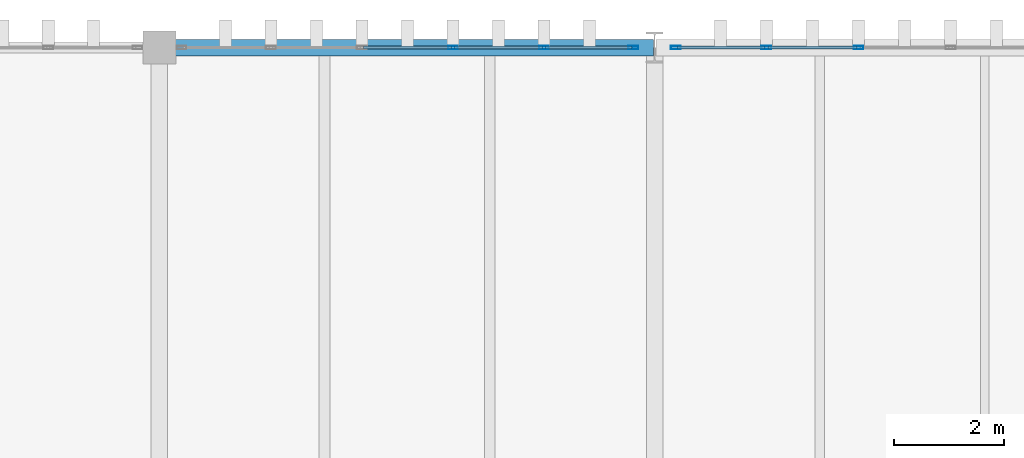
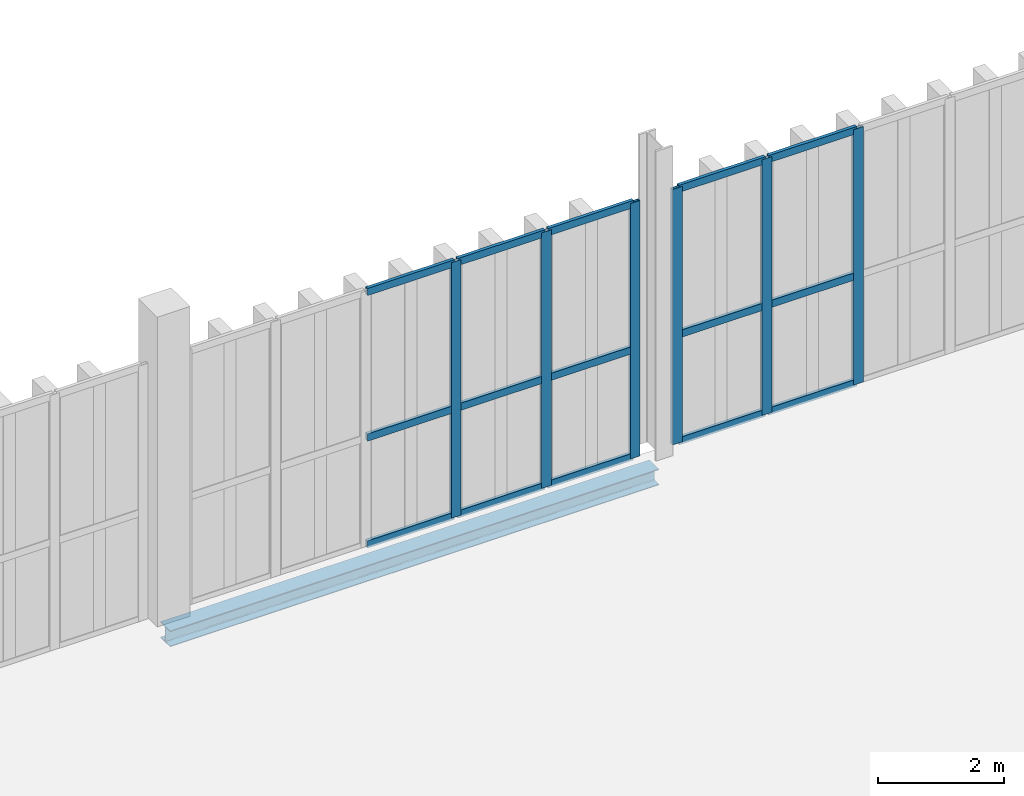
# One storey, part 140 of 211: 21 members, 1 beam, 2 elements without a shape of their own.
"""IFC4 building model written with IfcOpenShell, lengths in metres."""

from ifc_helpers import new_model, si_unit, direction, frame, origin, origin_2d, place, context, subcontext, project, spatial, hollow_rectangle, i_section, extrude, material, layer, layer_set, material_profile, profile_set, type_object, element, aggregate, save


model = new_model("IFC4")

# Units and contexts
model_context = context("Model", 3, precision=1e-05, world=origin(), true_north=direction((0.0, 1.0)))
body_context = subcontext(model_context, "Body", "Model", "MODEL_VIEW")
ifc_project = project(units=[si_unit("LENGTHUNIT", "METRE"), si_unit("AREAUNIT", "SQUARE_METRE"), si_unit("VOLUMEUNIT", "CUBIC_METRE"), si_unit("PLANEANGLEUNIT", "RADIAN"), si_unit("MASSUNIT", "GRAM", prefix="KILO")], contexts=[model_context])

# Site, building, storey
site_placement = place(None, origin())
site = spatial("IfcSite", under=ifc_project, at=site_placement, CompositionType="ELEMENT")
building_placement = place(site_placement, origin())
building = spatial("IfcBuilding", under=site, at=building_placement, Name="Barlavento Convention Centre", CompositionType="ELEMENT")
storey_placement = place(building_placement, frame((0.0, 0.0, 6.0)))
storey = spatial("IfcBuildingStorey", under=building, at=storey_placement, Name="L01", CompositionType="ELEMENT", Elevation=6.0)

# Curtain wall, members
ifc_material_1 = material(Name="Powder-coated aluminium and Low-E glass", Category="aluminium")
ifc_layer = layer(ifc_material_1, 0.179931640625)
ifc_layer_set = layer_set([ifc_layer], Name="ARC-CW-EXH-L01")
curtain_wall_type = type_object("IfcCurtainWallType", Name="ARC-CW-EXH-L01", PredefinedType="NOTDEFINED", material=ifc_layer_set)
curtain_wall_1_placement = place(storey_placement, origin())
curtain_wall_1 = element("IfcCurtainWall", 1, at=curtain_wall_1_placement, inside=storey, type_object=curtain_wall_type, Name="L01 unitised curtain wall CW04", PredefinedType="NOTDEFINED")
ifc_material_2 = material(Name="Powder-coated aluminium", Category="aluminium")
ifc_material_profile_1 = material_profile(ifc_material_2, hollow_rectangle(XDim=0.06005859375, YDim=0.179931640625, WallThickness=0.0048828125, at=origin_2d()), Name="AL-MULL 60x180x5")
ifc_profile_set_1 = profile_set([ifc_material_profile_1], Name="Powder-coated aluminium")
member_type_1 = type_object("IfcMemberType", Name="ARC-CWM-60X180", PredefinedType="MULLION", material=ifc_profile_set_1)
member_1_placement = place(storey_placement, frame((41.33447265625, 135.0, 0.0), z_axis=(0.0, 0.0, 1.0), x_axis=(0.0, 1.0, 0.0)))
member_1 = element("IfcMember", 2, at=member_1_placement, type_object=member_type_1, Name="CW04 mullion 4", PredefinedType="MULLION", context=body_context, shape_type="SweptSolid", body=[
    extrude(hollow_rectangle(XDim=0.06005859375, YDim=0.179931640625, WallThickness=0.0048828125, at=origin_2d()), origin(), (0.0, 0.0, 1.0), 4.949951171875),
])
member_2_placement = place(storey_placement, frame((42.9892578125, 135.0, 0.0), z_axis=(0.0, 0.0, 1.0), x_axis=(0.0, 1.0, 0.0)))
member_2 = element("IfcMember", 3, at=member_2_placement, type_object=member_type_1, Name="CW04 mullion 5", PredefinedType="MULLION", context=body_context, shape_type="SweptSolid", body=[
    extrude(hollow_rectangle(XDim=0.06005859375, YDim=0.179931640625, WallThickness=0.0048828125, at=origin_2d()), origin(), (0.0, 0.0, 1.0), 4.949951171875),
])
member_3_placement = place(storey_placement, frame((44.614013671875, 135.0, 0.0), z_axis=(0.0, 0.0, 1.0), x_axis=(0.0, 1.0, 0.0)))
member_3 = element("IfcMember", 4, at=member_3_placement, type_object=member_type_1, Name="CW04 mullion 6", PredefinedType="MULLION", context=body_context, shape_type="SweptSolid", body=[
    extrude(hollow_rectangle(XDim=0.06005859375, YDim=0.179931640625, WallThickness=0.0048828125, at=origin_2d()), origin(), (0.0, 0.0, 1.0), 4.949951171875),
])

curtain_wall_2_placement = place(storey_placement, origin())
curtain_wall_2 = element("IfcCurtainWall", 5, at=curtain_wall_2_placement, inside=storey, type_object=curtain_wall_type, Name="L01 unitised curtain wall CW04", PredefinedType="NOTDEFINED")
member_4_placement = place(storey_placement, frame((45.385986328125, 135.0, 0.0), z_axis=(0.0, 0.0, 1.0), x_axis=(0.0, 1.0, 0.0)))
member_4 = element("IfcMember", 6, at=member_4_placement, type_object=member_type_1, Name="CW04 mullion 1", PredefinedType="MULLION", context=body_context, shape_type="SweptSolid", body=[
    extrude(hollow_rectangle(XDim=0.06005859375, YDim=0.179931640625, WallThickness=0.0048828125, at=origin_2d()), origin(), (0.0, 0.0, 1.0), 4.949951171875),
])
member_5_placement = place(storey_placement, frame((47.0302734375, 135.0, 0.0), z_axis=(0.0, 0.0, 1.0), x_axis=(0.0, 1.0, 0.0)))
member_5 = element("IfcMember", 7, at=member_5_placement, type_object=member_type_1, Name="CW04 mullion 2", PredefinedType="MULLION", context=body_context, shape_type="SweptSolid", body=[
    extrude(hollow_rectangle(XDim=0.06005859375, YDim=0.179931640625, WallThickness=0.0048828125, at=origin_2d()), origin(), (0.0, 0.0, 1.0), 4.949951171875),
])
member_6_placement = place(storey_placement, frame((48.704345703125, 135.0, 0.0), z_axis=(0.0, 0.0, 1.0), x_axis=(0.0, 1.0, 0.0)))
member_6 = element("IfcMember", 8, at=member_6_placement, type_object=member_type_1, Name="CW04 mullion 3", PredefinedType="MULLION", context=body_context, shape_type="SweptSolid", body=[
    extrude(hollow_rectangle(XDim=0.06005859375, YDim=0.179931640625, WallThickness=0.0048828125, at=origin_2d()), origin(), (0.0, 0.0, 1.0), 4.949951171875),
])

# Member
ifc_material_profile_2 = material_profile(ifc_material_2, hollow_rectangle(XDim=0.06005859375, YDim=0.139892578125, WallThickness=0.00390625, at=origin_2d()), Name="AL-TRAN 60x140x4")
ifc_profile_set_2 = profile_set([ifc_material_profile_2], Name="Powder-coated aluminium")
member_type_2 = type_object("IfcMemberType", Name="ARC-CWT-60X140", PredefinedType="USERDEFINED", material=ifc_profile_set_2)
member_7_placement = place(storey_placement, frame((39.709716796875, 135.0, 0.030029296875), z_axis=(1.0, 0.0, 0.0), x_axis=(0.0, 1.0, 0.0)))
member_7 = element("IfcMember", 9, at=member_7_placement, type_object=member_type_2, Name="CW04 transom 3.1", ObjectType="TRANSOM", PredefinedType="USERDEFINED", context=body_context, shape_type="SweptSolid", body=[
    extrude(hollow_rectangle(XDim=0.06005859375, YDim=0.139892578125, WallThickness=0.00390625, at=origin_2d()), origin(), (0.0, 0.0, 1.0), 1.5947265625),
])

member_8_placement = place(storey_placement, frame((39.709716796875, 135.0, 2.10009765625), z_axis=(1.0, 0.0, 0.0), x_axis=(0.0, 1.0, 0.0)))
member_8 = element("IfcMember", 10, at=member_8_placement, type_object=member_type_2, Name="CW04 transom 3.2", ObjectType="TRANSOM", PredefinedType="USERDEFINED", context=body_context, shape_type="SweptSolid", body=[
    extrude(hollow_rectangle(XDim=0.06005859375, YDim=0.139892578125, WallThickness=0.00390625, at=origin_2d()), origin(), (0.0, 0.0, 1.0), 1.5947265625),
])

member_9_placement = place(storey_placement, frame((39.709716796875, 135.0, 4.919921875), z_axis=(1.0, 0.0, 0.0), x_axis=(0.0, 1.0, 0.0)))
member_9 = element("IfcMember", 11, at=member_9_placement, type_object=member_type_2, Name="CW04 transom 3.3", ObjectType="TRANSOM", PredefinedType="USERDEFINED", context=body_context, shape_type="SweptSolid", body=[
    extrude(hollow_rectangle(XDim=0.06005859375, YDim=0.139892578125, WallThickness=0.00390625, at=origin_2d()), origin(), (0.0, 0.0, 1.0), 1.5947265625),
])

member_10_placement = place(storey_placement, frame((41.364501953125, 135.0, 0.030029296875), z_axis=(1.0, 0.0, 0.0), x_axis=(0.0, 1.0, 0.0)))
member_10 = element("IfcMember", 12, at=member_10_placement, type_object=member_type_2, Name="CW04 transom 4.1", ObjectType="TRANSOM", PredefinedType="USERDEFINED", context=body_context, shape_type="SweptSolid", body=[
    extrude(hollow_rectangle(XDim=0.06005859375, YDim=0.139892578125, WallThickness=0.00390625, at=origin_2d()), origin(), (0.0, 0.0, 1.0), 1.5947265625),
])

member_11_placement = place(storey_placement, frame((41.364501953125, 135.0, 2.10009765625), z_axis=(1.0, 0.0, 0.0), x_axis=(0.0, 1.0, 0.0)))
member_11 = element("IfcMember", 13, at=member_11_placement, type_object=member_type_2, Name="CW04 transom 4.2", ObjectType="TRANSOM", PredefinedType="USERDEFINED", context=body_context, shape_type="SweptSolid", body=[
    extrude(hollow_rectangle(XDim=0.06005859375, YDim=0.139892578125, WallThickness=0.00390625, at=origin_2d()), origin(), (0.0, 0.0, 1.0), 1.5947265625),
])

member_12_placement = place(storey_placement, frame((41.364501953125, 135.0, 4.919921875), z_axis=(1.0, 0.0, 0.0), x_axis=(0.0, 1.0, 0.0)))
member_12 = element("IfcMember", 14, at=member_12_placement, type_object=member_type_2, Name="CW04 transom 4.3", ObjectType="TRANSOM", PredefinedType="USERDEFINED", context=body_context, shape_type="SweptSolid", body=[
    extrude(hollow_rectangle(XDim=0.06005859375, YDim=0.139892578125, WallThickness=0.00390625, at=origin_2d()), origin(), (0.0, 0.0, 1.0), 1.5947265625),
])

member_13_placement = place(storey_placement, frame((43.019287109375, 135.0, 0.030029296875), z_axis=(1.0, 0.0, 0.0), x_axis=(0.0, 1.0, 0.0)))
member_13 = element("IfcMember", 15, at=member_13_placement, type_object=member_type_2, Name="CW04 transom 5.1", ObjectType="TRANSOM", PredefinedType="USERDEFINED", context=body_context, shape_type="SweptSolid", body=[
    extrude(hollow_rectangle(XDim=0.06005859375, YDim=0.139892578125, WallThickness=0.00390625, at=origin_2d()), origin(), (0.0, 0.0, 1.0), 1.564697265625),
])

member_14_placement = place(storey_placement, frame((43.019287109375, 135.0, 2.10009765625), z_axis=(1.0, 0.0, 0.0), x_axis=(0.0, 1.0, 0.0)))
member_14 = element("IfcMember", 16, at=member_14_placement, type_object=member_type_2, Name="CW04 transom 5.2", ObjectType="TRANSOM", PredefinedType="USERDEFINED", context=body_context, shape_type="SweptSolid", body=[
    extrude(hollow_rectangle(XDim=0.06005859375, YDim=0.139892578125, WallThickness=0.00390625, at=origin_2d()), origin(), (0.0, 0.0, 1.0), 1.564697265625),
])

member_15_placement = place(storey_placement, frame((43.019287109375, 135.0, 4.919921875), z_axis=(1.0, 0.0, 0.0), x_axis=(0.0, 1.0, 0.0)))
member_15 = element("IfcMember", 17, at=member_15_placement, type_object=member_type_2, Name="CW04 transom 5.3", ObjectType="TRANSOM", PredefinedType="USERDEFINED", context=body_context, shape_type="SweptSolid", body=[
    extrude(hollow_rectangle(XDim=0.06005859375, YDim=0.139892578125, WallThickness=0.00390625, at=origin_2d()), origin(), (0.0, 0.0, 1.0), 1.564697265625),
])

aggregate(curtain_wall_1, [member_1, member_2, member_3, member_7, member_8, member_9, member_10, member_11, member_12, member_13, member_14, member_15])

member_16_placement = place(storey_placement, frame((45.416015625, 135.0, 0.030029296875), z_axis=(1.0, 0.0, 0.0), x_axis=(0.0, 1.0, 0.0)))
member_16 = element("IfcMember", 18, at=member_16_placement, type_object=member_type_2, Name="CW04 transom 1.1", ObjectType="TRANSOM", PredefinedType="USERDEFINED", context=body_context, shape_type="SweptSolid", body=[
    extrude(hollow_rectangle(XDim=0.06005859375, YDim=0.139892578125, WallThickness=0.00390625, at=origin_2d()), origin(), (0.0, 0.0, 1.0), 1.584228515625),
])

member_17_placement = place(storey_placement, frame((45.416015625, 135.0, 2.10009765625), z_axis=(1.0, 0.0, 0.0), x_axis=(0.0, 1.0, 0.0)))
member_17 = element("IfcMember", 19, at=member_17_placement, type_object=member_type_2, Name="CW04 transom 1.2", ObjectType="TRANSOM", PredefinedType="USERDEFINED", context=body_context, shape_type="SweptSolid", body=[
    extrude(hollow_rectangle(XDim=0.06005859375, YDim=0.139892578125, WallThickness=0.00390625, at=origin_2d()), origin(), (0.0, 0.0, 1.0), 1.584228515625),
])

member_18_placement = place(storey_placement, frame((45.416015625, 135.0, 4.919921875), z_axis=(1.0, 0.0, 0.0), x_axis=(0.0, 1.0, 0.0)))
member_18 = element("IfcMember", 20, at=member_18_placement, type_object=member_type_2, Name="CW04 transom 1.3", ObjectType="TRANSOM", PredefinedType="USERDEFINED", context=body_context, shape_type="SweptSolid", body=[
    extrude(hollow_rectangle(XDim=0.06005859375, YDim=0.139892578125, WallThickness=0.00390625, at=origin_2d()), origin(), (0.0, 0.0, 1.0), 1.584228515625),
])

member_19_placement = place(storey_placement, frame((47.06005859375, 135.0, 0.030029296875), z_axis=(1.0, 0.0, 0.0), x_axis=(0.0, 1.0, 0.0)))
member_19 = element("IfcMember", 21, at=member_19_placement, type_object=member_type_2, Name="CW04 transom 2.1", ObjectType="TRANSOM", PredefinedType="USERDEFINED", context=body_context, shape_type="SweptSolid", body=[
    extrude(hollow_rectangle(XDim=0.06005859375, YDim=0.139892578125, WallThickness=0.00390625, at=origin_2d()), origin(), (0.0, 0.0, 1.0), 1.6142578125),
])

member_20_placement = place(storey_placement, frame((47.06005859375, 135.0, 2.10009765625), z_axis=(1.0, 0.0, 0.0), x_axis=(0.0, 1.0, 0.0)))
member_20 = element("IfcMember", 22, at=member_20_placement, type_object=member_type_2, Name="CW04 transom 2.2", ObjectType="TRANSOM", PredefinedType="USERDEFINED", context=body_context, shape_type="SweptSolid", body=[
    extrude(hollow_rectangle(XDim=0.06005859375, YDim=0.139892578125, WallThickness=0.00390625, at=origin_2d()), origin(), (0.0, 0.0, 1.0), 1.6142578125),
])

member_21_placement = place(storey_placement, frame((47.06005859375, 135.0, 4.919921875), z_axis=(1.0, 0.0, 0.0), x_axis=(0.0, 1.0, 0.0)))
member_21 = element("IfcMember", 23, at=member_21_placement, type_object=member_type_2, Name="CW04 transom 2.3", ObjectType="TRANSOM", PredefinedType="USERDEFINED", context=body_context, shape_type="SweptSolid", body=[
    extrude(hollow_rectangle(XDim=0.06005859375, YDim=0.139892578125, WallThickness=0.00390625, at=origin_2d()), origin(), (0.0, 0.0, 1.0), 1.6142578125),
])

aggregate(curtain_wall_2, [member_4, member_5, member_6, member_16, member_17, member_18, member_19, member_20, member_21])

# Beam
ifc_material_3 = material(Name="Steel S355", Category="steel")
ifc_material_profile_3 = material_profile(ifc_material_3, i_section(OverallWidth=0.300048828125, OverallDepth=0.31005859375, WebThickness=0.009033203125, FlangeThickness=0.015380859375, FilletRadius=0.027099609375, at=origin_2d()), Name="HEA 320")
ifc_profile_set_3 = profile_set([ifc_material_profile_3], Name="Steel S355")
beam_type = type_object("IfcBeamType", Name="STR-BM-SPN-HEA320", PredefinedType="SPANDREL", material=ifc_profile_set_3)
beam_placement = place(storey_placement, frame((36.02001953125, 135.0, -0.43505859375), z_axis=(1.0, 0.0, 0.0), x_axis=(0.0, 1.0, 0.0)))
element("IfcBeam", 24, at=beam_placement, inside=storey, type_object=beam_type, Name="L01 primary girder SP01", PredefinedType="SPANDREL", context=body_context, shape_type="SweptSolid", body=[
    extrude(i_section(OverallWidth=0.300048828125, OverallDepth=0.31005859375, WebThickness=0.009033203125, FlangeThickness=0.015380859375, FilletRadius=0.027099609375, at=origin_2d()), origin(), (0.0, 0.0, 1.0), 8.9599609375),
])

save(model, "model.ifc")
